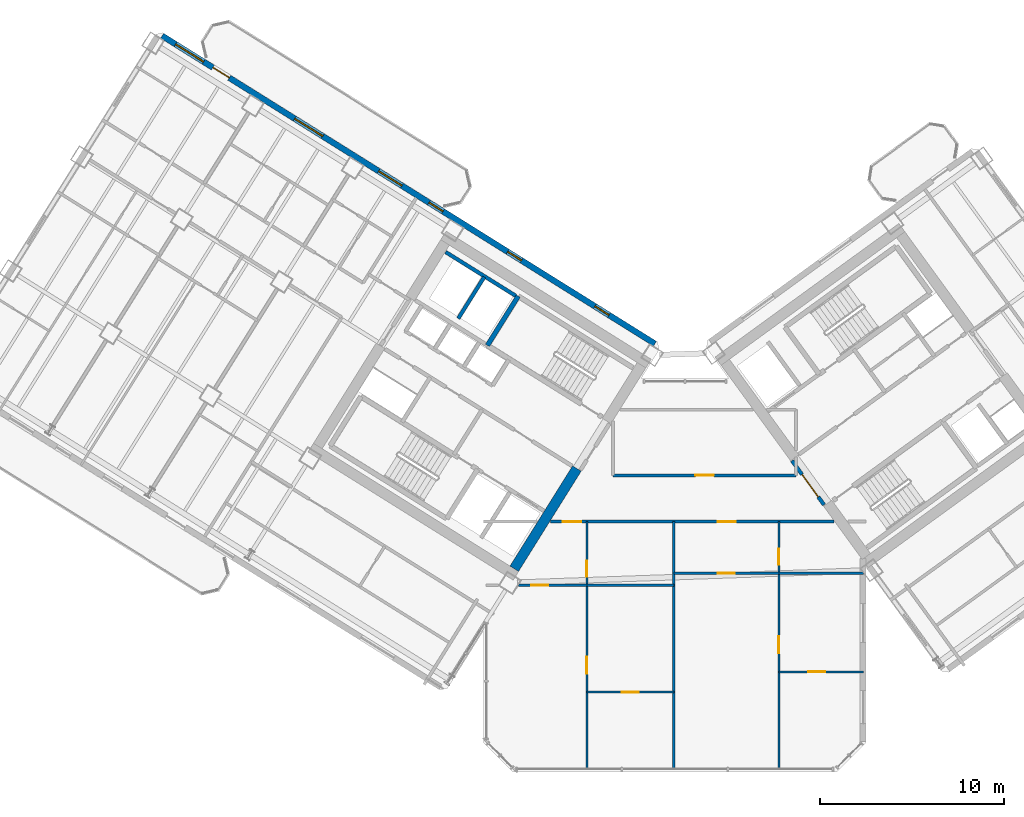
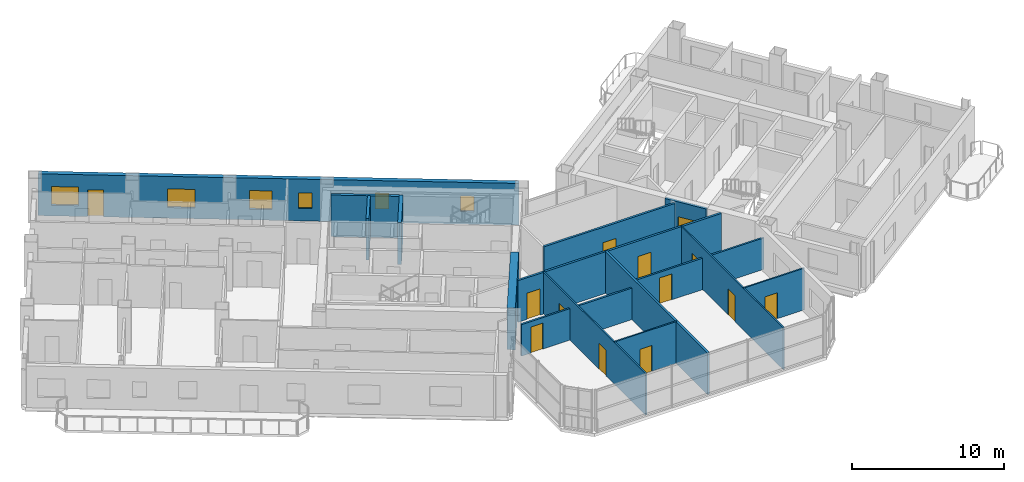
# One storey, part 18 of 25: 17 walls, 13 doors, 6 windows, 19 openings.
"""IFC4 building model written with IfcOpenShell, lengths in metres."""

from ifc_helpers import new_model, si_unit, direction, frame, frame_2d, origin, place, context, subcontext, project, spatial, rectangle, extrude, source, transform, mapped, material, layer, layer_set, type_object, element, fill, save


model = new_model("IFC4")

# Units and contexts
model_context = context("Model", 3, precision=1e-05, world=origin(), true_north=direction((0.0, 1.0)))
body_context = subcontext(model_context, "Body", "Model", "MODEL_VIEW")
ifc_project = project(units=[si_unit("LENGTHUNIT", "METRE"), si_unit("AREAUNIT", "SQUARE_METRE"), si_unit("VOLUMEUNIT", "CUBIC_METRE"), si_unit("PLANEANGLEUNIT", "RADIAN"), si_unit("MASSUNIT", "GRAM", prefix="KILO")], contexts=[model_context])

# Site, building, storey
site_placement = place(None, origin())
site = spatial("IfcSite", under=ifc_project, at=site_placement, CompositionType="ELEMENT")
building_placement = place(site_placement, origin())
building = spatial("IfcBuilding", under=site, at=building_placement, Name="Tlacorven Tower", CompositionType="ELEMENT")
storey_placement = place(building_placement, frame((0.0, 0.0, 162.300048828125)))
storey = spatial("IfcBuildingStorey", under=building, at=storey_placement, Name="L41", CompositionType="ELEMENT", Elevation=162.300048828125)

# Wall
ifc_material_1 = material(Name="Concrete C60/75", Category="concrete")
ifc_layer_1 = layer(ifc_material_1, 0.550048828125)
ifc_layer_set_1 = layer_set([ifc_layer_1], Name="Concrete C60/75")
wall_type_1 = type_object("IfcWallType", Name="WL-COR-550", PredefinedType="SHEAR", material=ifc_layer_set_1)
wall_1_placement = place(storey_placement, frame((36.683349609375, 18.30419921875, 0.0), z_axis=(0.0, 0.0, 1.0), x_axis=(-0.529896466841, -0.848062341122, 0.0)))
element("IfcWall", 1, at=wall_1_placement, inside=storey, type_object=wall_type_1, Name="L41 W core end wall E1.2", PredefinedType="SHEAR", context=body_context, shape_type="SweptSolid", body=[
    extrude(rectangle(XDim=6.4248046875, YDim=0.550048828125, at=frame_2d((3.21240234375, 0.0))), origin(), (0.0, 0.0, 1.0), 3.349853515625),
])

# Wall, openings, doors
ifc_material_2 = material(Name="Gypsum plasterboard acoustic partition", Category="gypsum")
ifc_layer_2 = layer(ifc_material_2, 0.159912109375)
ifc_layer_set_2 = layer_set([ifc_layer_2], Name="Gypsum plasterboard acoustic partition")
wall_type_2 = type_object("IfcWallType", Name="WL-DEM-160", PredefinedType="PARTITIONING", material=ifc_layer_set_2)
wall_2_placement = place(storey_placement, frame((35.2373046875, 15.419921875, 0.0), z_axis=(0.0, 0.0, 1.0), x_axis=(1.0, 0.0, 0.0)))
wall_2 = element("IfcWall", 2, at=wall_2_placement, inside=storey, type_object=wall_type_2, Name="L41 Knuckle Corridor South Wall", PredefinedType="PARTITIONING", context=body_context, shape_type="SweptSolid", body=[
    extrude(rectangle(XDim=15.431640625, YDim=0.159912109375, at=frame_2d((7.7158203125, 0.0))), origin(), (0.0, 0.0, 1.0), 3.33984375),
])
opening_1_placement = place(wall_2_placement, frame((0.673583984375, 0.0, 0.0)))
opening_1 = element("IfcOpeningElement", 3, at=opening_1_placement, cuts=wall_2, Name="Opening D11", PredefinedType="OPENING", context=body_context, shape_type="SweptSolid", body=[
    extrude(rectangle(XDim=1.0, YDim=2.10009765625, at=frame_2d((0.5, 1.050048828125))), frame((0.0, 0.08984375, 0.0), z_axis=(0.0, -1.0, 0.0), x_axis=(1.0, 0.0, 0.0)), (0.0, 0.0, 1.0), 0.179931640625),
])
opening_2_placement = place(wall_2_placement, frame((9.093994140625, 0.0, 0.0)))
opening_2 = element("IfcOpeningElement", 4, at=opening_2_placement, cuts=wall_2, Name="Opening D11", PredefinedType="OPENING", context=body_context, shape_type="SweptSolid", body=[
    extrude(rectangle(XDim=1.0, YDim=2.10009765625, at=frame_2d((0.5, 1.050048828125))), frame((0.0, 0.08984375, 0.0), z_axis=(0.0, -1.0, 0.0), x_axis=(1.0, 0.0, 0.0)), (0.0, 0.0, 1.0), 0.179931640625),
])
ifc_material_3 = material(Name="Fire-rated steel door assembly", Category="steel")
door_type_1 = type_object("IfcDoorType", Name="DR-FLT-FD60-1000", OperationType="NOTDEFINED", PredefinedType="DOOR", material=ifc_material_3)
shared_shape_1 = source(origin(), body_context, "Body", "SweptSolid", [
    extrude(rectangle(XDim=1.0, YDim=2.10009765625, at=frame_2d((0.5, 1.050048828125))), frame((0.0, 0.02490234375, 0.0), z_axis=(0.0, -1.0, 0.0), x_axis=(1.0, 0.0, 0.0)), (0.0, 0.0, 1.0), 0.050048828125),
])
door_1_placement = place(opening_1_placement, frame((1.0, 0.0, 0.0), z_axis=(0.0, 0.0, 1.0), x_axis=(-1.0, 0.0, 0.0)))
door_1 = element("IfcDoor", 5, at=door_1_placement, inside=storey, type_object=door_type_1, Name="L41 door 050", OperationType="SINGLE_SWING_RIGHT", OverallHeight=2.10009765625, OverallWidth=1.0, PredefinedType="DOOR", context=body_context, shape_type="MappedRepresentation", body=[
    mapped(shared_shape_1, transform((0.0, 0.0, 0.0), scale=1.0)),
])
fill(opening_1, door_1)
door_2_placement = place(opening_2_placement, frame((1.0, 0.0, 0.0), z_axis=(0.0, 0.0, 1.0), x_axis=(-1.0, 0.0, 0.0)))
door_2 = element("IfcDoor", 6, at=door_2_placement, inside=storey, type_object=door_type_1, Name="L41 door 055", OperationType="SINGLE_SWING_LEFT", OverallHeight=2.10009765625, OverallWidth=1.0, PredefinedType="DOOR", context=body_context, shape_type="MappedRepresentation", body=[
    mapped(shared_shape_1, transform((0.0, 0.0, 0.0), scale=1.0)),
])
fill(opening_2, door_2)

# Wall, opening, door
wall_3_placement = place(storey_placement, frame((38.64990234375, 17.929931640625, 0.0), z_axis=(0.0, 0.0, 1.0), x_axis=(1.0, 0.0, 0.0)))
wall_3 = element("IfcWall", 7, at=wall_3_placement, inside=storey, type_object=wall_type_2, Name="L41 partition 74", PredefinedType="PARTITIONING", context=body_context, shape_type="SweptSolid", body=[
    extrude(rectangle(XDim=9.9501953125, YDim=0.159912109375, at=frame_2d((4.97509765625, 0.0))), origin(), (0.0, 0.0, 1.0), 3.33984375),
])
opening_3_placement = place(wall_3_placement, frame((4.47509765625, 0.0, 0.0)))
opening_3 = element("IfcOpeningElement", 8, at=opening_3_placement, cuts=wall_3, Name="Opening D11", PredefinedType="OPENING", context=body_context, shape_type="SweptSolid", body=[
    extrude(rectangle(XDim=1.0, YDim=2.10009765625, at=frame_2d((0.5, 1.050048828125))), frame((0.0, 0.08984375, 0.0), z_axis=(0.0, -1.0, 0.0), x_axis=(1.0, 0.0, 0.0)), (0.0, 0.0, 1.0), 0.179931640625),
])
door_3_placement = place(opening_3_placement, origin())
door_3 = element("IfcDoor", 9, at=door_3_placement, inside=storey, type_object=door_type_1, Name="L41 door 045", OperationType="SINGLE_SWING_LEFT", OverallHeight=2.10009765625, OverallWidth=1.0, PredefinedType="DOOR", context=body_context, shape_type="MappedRepresentation", body=[
    mapped(shared_shape_1, transform((0.0, 0.0, 0.0), scale=1.0)),
])
fill(opening_3, door_3)

# Wall
wall_4_placement = place(storey_placement, frame((41.949951171875, 1.9599609375, 0.0), z_axis=(0.0, 0.0, 1.0), x_axis=(0.0, 1.0, 0.0)))
element("IfcWall", 10, at=wall_4_placement, inside=storey, type_object=wall_type_2, Name="L41 Knuckle Demising Wall 1", PredefinedType="PARTITIONING", context=body_context, shape_type="SweptSolid", body=[
    extrude(rectangle(XDim=13.4599609375, YDim=0.159912109375, at=frame_2d((6.72998046875, 0.0))), origin(), (0.0, 0.0, 1.0), 3.33984375),
])

# Wall, openings, door, windows
ifc_material_4 = material(Name="Precast concrete C45/55", Category="concrete")
ifc_layer_3 = layer(ifc_material_4, 0.320068359375)
ifc_layer_set_3 = layer_set([ifc_layer_3], Name="Precast concrete C45/55")
wall_type_3 = type_object("IfcWallType", Name="WL-EXT-320", PredefinedType="STANDARD", material=ifc_layer_set_3)
wall_5_placement = place(storey_placement, frame((14.13818359375, 41.825439453125, 0.0), z_axis=(0.0, 0.0, 1.0), x_axis=(0.848046498049, -0.529921821731, 0.0)))
wall_5 = element("IfcWall", 11, at=wall_5_placement, inside=storey, type_object=wall_type_3, Name="L41 Masonry-Frame Recessed Facade Wall 3", PredefinedType="STANDARD", context=body_context, shape_type="SweptSolid", body=[
    extrude(rectangle(XDim=31.587646484375, YDim=0.320068359375, at=frame_2d((15.7939453125, 0.0))), origin(), (0.0, 0.0, 1.0), 3.349853515625),
])
opening_4_placement = place(wall_5_placement, frame((3.2529296875, 0.0, 0.0)))
opening_4 = element("IfcOpeningElement", 12, at=opening_4_placement, cuts=wall_5, Name="Opening D06", PredefinedType="OPENING", context=body_context, shape_type="SweptSolid", body=[
    extrude(rectangle(XDim=1.050048828125, YDim=2.14990234375, at=frame_2d((0.52490234375, 1.074951171875))), frame((0.0, 0.169921875, 0.0), z_axis=(0.0, -1.0, 0.0), x_axis=(1.0, 0.0, 0.0)), (0.0, 0.0, 1.0), 0.340087890625),
])
opening_5_placement = place(wall_5_placement, frame((0.86328125, 0.0, 0.85009765625)))
opening_5 = element("IfcOpeningElement", 13, at=opening_5_placement, cuts=wall_5, Name="Opening WN01", PredefinedType="OPENING", context=body_context, shape_type="SweptSolid", body=[
    extrude(rectangle(XDim=1.800048828125, YDim=1.5, at=frame_2d((0.89990234375, 0.75))), frame((0.0, 0.169921875, 0.0), z_axis=(0.0, -1.0, 0.0), x_axis=(1.0, 0.0, 0.0)), (0.0, 0.0, 1.0), 0.340087890625),
])
opening_6_placement = place(wall_5_placement, frame((8.49365234375, 0.0, 0.85009765625)))
opening_6 = element("IfcOpeningElement", 14, at=opening_6_placement, cuts=wall_5, Name="Opening WN01", PredefinedType="OPENING", context=body_context, shape_type="SweptSolid", body=[
    extrude(rectangle(XDim=1.800048828125, YDim=1.5, at=frame_2d((0.89990234375, 0.75))), frame((0.0, 0.169921875, 0.0), z_axis=(0.0, -1.0, 0.0), x_axis=(1.0, 0.0, 0.0)), (0.0, 0.0, 1.0), 0.340087890625),
])
opening_7_placement = place(wall_5_placement, frame((13.873779296875, 0.0, 0.85009765625)))
opening_7 = element("IfcOpeningElement", 15, at=opening_7_placement, cuts=wall_5, Name="Opening WN02", PredefinedType="OPENING", context=body_context, shape_type="SweptSolid", body=[
    extrude(rectangle(XDim=1.5, YDim=1.5, at=frame_2d((0.75, 0.75))), frame((0.0, 0.169921875, 0.0), z_axis=(0.0, -1.0, 0.0), x_axis=(1.0, 0.0, 0.0)), (0.0, 0.0, 1.0), 0.340087890625),
])
opening_8_placement = place(wall_5_placement, frame((17.103759765625, 0.0, 1.0)))
opening_8 = element("IfcOpeningElement", 16, at=opening_8_placement, cuts=wall_5, Name="Opening WN05", PredefinedType="OPENING", context=body_context, shape_type="SweptSolid", body=[
    extrude(rectangle(XDim=0.89990234375, YDim=1.25, at=frame_2d((0.449951171875, 0.625))), frame((0.0, 0.169921875, 0.0), z_axis=(0.0, -1.0, 0.0), x_axis=(1.0, 0.0, 0.0)), (0.0, 0.0, 1.0), 0.340087890625),
])
opening_9_placement = place(wall_5_placement, frame((22.143798828125, 0.0, 1.0)))
opening_9 = element("IfcOpeningElement", 17, at=opening_9_placement, cuts=wall_5, Name="Opening WN05", PredefinedType="OPENING", context=body_context, shape_type="SweptSolid", body=[
    extrude(rectangle(XDim=0.89990234375, YDim=1.25, at=frame_2d((0.449951171875, 0.625))), frame((0.0, 0.169921875, 0.0), z_axis=(0.0, -1.0, 0.0), x_axis=(1.0, 0.0, 0.0)), (0.0, 0.0, 1.0), 0.340087890625),
])
opening_10_placement = place(wall_5_placement, frame((27.74365234375, 0.0, 1.0)))
opening_10 = element("IfcOpeningElement", 18, at=opening_10_placement, cuts=wall_5, Name="Opening WN05", PredefinedType="OPENING", context=body_context, shape_type="SweptSolid", body=[
    extrude(rectangle(XDim=0.89990234375, YDim=1.25, at=frame_2d((0.449951171875, 0.625))), frame((0.0, 0.169921875, 0.0), z_axis=(0.0, -1.0, 0.0), x_axis=(1.0, 0.0, 0.0)), (0.0, 0.0, 1.0), 0.340087890625),
])
ifc_material_5 = material(Name="Powder-coated aluminium and timber door", Category="wood")
door_type_2 = type_object("IfcDoorType", Name="DR-EXT-BALC-1050", OperationType="NOTDEFINED", PredefinedType="DOOR", material=ifc_material_5)
shared_shape_2 = source(origin(), body_context, "Body", "SweptSolid", [
    extrude(rectangle(XDim=1.050048828125, YDim=2.14990234375, at=frame_2d((0.52490234375, 1.074951171875))), frame((0.0, 0.02490234375, 0.0), z_axis=(0.0, -1.0, 0.0), x_axis=(1.0, 0.0, 0.0)), (0.0, 0.0, 1.0), 0.050048828125),
])
door_4_placement = place(opening_4_placement, origin())
door_4 = element("IfcDoor", 19, at=door_4_placement, inside=storey, type_object=door_type_2, Name="L41 Outdoor Access Door BAL-L41-W-IN", OperationType="SINGLE_SWING_RIGHT", OverallHeight=2.14990234375, OverallWidth=1.050048828125, PredefinedType="DOOR", context=body_context, shape_type="MappedRepresentation", body=[
    mapped(shared_shape_2, transform((0.0, 0.0, 0.0), scale=1.0)),
])
fill(opening_4, door_4)
ifc_material_6 = material(Name="Dark solar low-E double glazing in anodised aluminium frame", Category="aluminium")
window_type_1 = type_object("IfcWindowType", Name="WN-APT-1800X1650", PartitioningType="SINGLE_PANEL", PredefinedType="WINDOW", material=ifc_material_6)
shared_shape_3 = source(origin(), body_context, "Body", "SweptSolid", [
    extrude(rectangle(XDim=1.800048828125, YDim=1.5, at=frame_2d((0.89990234375, 0.75))), frame((0.0, 0.030029296875, 0.0), z_axis=(0.0, -1.0, 0.0), x_axis=(1.0, 0.0, 0.0)), (0.0, 0.0, 1.0), 0.06005859375),
])
window_1_placement = place(opening_5_placement, origin())
window_1 = element("IfcWindow", 20, at=window_1_placement, inside=storey, type_object=window_type_1, Name="L41 Recessed Masonry-Frame Window L41-03.1", OverallHeight=1.5, OverallWidth=1.800048828125, PartitioningType="SINGLE_PANEL", PredefinedType="WINDOW", context=body_context, shape_type="MappedRepresentation", body=[
    mapped(shared_shape_3, transform((0.0, 0.0, 0.0), scale=1.0)),
])
fill(opening_5, window_1)
window_2_placement = place(opening_6_placement, origin())
window_2 = element("IfcWindow", 21, at=window_2_placement, inside=storey, type_object=window_type_1, Name="L41 Recessed Masonry-Frame Window L41-03.2", OverallHeight=1.5, OverallWidth=1.800048828125, PartitioningType="SINGLE_PANEL", PredefinedType="WINDOW", context=body_context, shape_type="MappedRepresentation", body=[
    mapped(shared_shape_3, transform((0.0, 0.0, 0.0), scale=1.0)),
])
fill(opening_6, window_2)
window_type_2 = type_object("IfcWindowType", Name="WN-APT-1500X1650", PartitioningType="SINGLE_PANEL", PredefinedType="WINDOW", material=ifc_material_6)
shared_shape_4 = source(origin(), body_context, "Body", "SweptSolid", [
    extrude(rectangle(XDim=1.5, YDim=1.5, at=frame_2d((0.75, 0.75))), frame((0.0, 0.030029296875, 0.0), z_axis=(0.0, -1.0, 0.0), x_axis=(1.0, 0.0, 0.0)), (0.0, 0.0, 1.0), 0.06005859375),
])
window_3_placement = place(opening_7_placement, origin())
window_3 = element("IfcWindow", 22, at=window_3_placement, inside=storey, type_object=window_type_2, Name="L41 Recessed Masonry-Frame Window L41-03.3", OverallHeight=1.5, OverallWidth=1.5, PartitioningType="SINGLE_PANEL", PredefinedType="WINDOW", context=body_context, shape_type="MappedRepresentation", body=[
    mapped(shared_shape_4, transform((0.0, 0.0, 0.0), scale=1.0)),
])
fill(opening_7, window_3)
window_type_3 = type_object("IfcWindowType", Name="WN-APT-0900X1350", PartitioningType="SINGLE_PANEL", PredefinedType="WINDOW", material=ifc_material_6)
shared_shape_5 = source(origin(), body_context, "Body", "SweptSolid", [
    extrude(rectangle(XDim=0.89990234375, YDim=1.25, at=frame_2d((0.449951171875, 0.625))), frame((0.0, 0.030029296875, 0.0), z_axis=(0.0, -1.0, 0.0), x_axis=(1.0, 0.0, 0.0)), (0.0, 0.0, 1.0), 0.06005859375),
])
window_4_placement = place(opening_8_placement, origin())
window_4 = element("IfcWindow", 23, at=window_4_placement, inside=storey, type_object=window_type_3, Name="L41 Recessed Masonry-Frame Window L41-03.4", OverallHeight=1.25, OverallWidth=0.89990234375, PartitioningType="SINGLE_PANEL", PredefinedType="WINDOW", context=body_context, shape_type="MappedRepresentation", body=[
    mapped(shared_shape_5, transform((0.0, 0.0, 0.0), scale=1.0)),
])
fill(opening_8, window_4)
window_5_placement = place(opening_9_placement, origin())
window_5 = element("IfcWindow", 24, at=window_5_placement, inside=storey, type_object=window_type_3, Name="L41 Recessed Masonry-Frame Window L41-03.5", OverallHeight=1.25, OverallWidth=0.89990234375, PartitioningType="SINGLE_PANEL", PredefinedType="WINDOW", context=body_context, shape_type="MappedRepresentation", body=[
    mapped(shared_shape_5, transform((0.0, 0.0, 0.0), scale=1.0)),
])
fill(opening_9, window_5)
window_6_placement = place(opening_10_placement, origin())
window_6 = element("IfcWindow", 25, at=window_6_placement, inside=storey, type_object=window_type_3, Name="L41 Recessed Masonry-Frame Window L41-03.6", OverallHeight=1.25, OverallWidth=0.89990234375, PartitioningType="SINGLE_PANEL", PredefinedType="WINDOW", context=body_context, shape_type="MappedRepresentation", body=[
    mapped(shared_shape_5, transform((0.0, 0.0, 0.0), scale=1.0)),
])
fill(opening_10, window_6)

# Wall, openings, doors
ifc_material_7 = material(Name="Gypsum plasterboard partition", Category="gypsum")
ifc_layer_4 = layer(ifc_material_7, 0.110107421875)
ifc_layer_set_4 = layer_set([ifc_layer_4], Name="Gypsum plasterboard partition")
wall_type_4 = type_object("IfcWallType", Name="WL-INT-110", PredefinedType="PARTITIONING", material=ifc_layer_set_4)
wall_6_placement = place(storey_placement, frame((37.221923828125, 1.9599609375, 0.0), z_axis=(0.0, 0.0, 1.0), x_axis=(0.0, 1.0, 0.0)))
wall_6 = element("IfcWall", 26, at=wall_6_placement, inside=storey, type_object=wall_type_4, Name="L41 partition 80", PredefinedType="PARTITIONING", context=body_context, shape_type="SweptSolid", body=[
    extrude(rectangle(XDim=13.4599609375, YDim=0.110107421875, at=frame_2d((6.72998046875, 0.0))), origin(), (0.0, 0.0, 1.0), 3.33984375),
])
opening_11_placement = place(wall_6_placement, frame((5.199951171875, 0.0, 0.0)))
opening_11 = element("IfcOpeningElement", 27, at=opening_11_placement, cuts=wall_6, Name="Opening D12", PredefinedType="OPENING", context=body_context, shape_type="SweptSolid", body=[
    extrude(rectangle(XDim=0.919921875, YDim=2.080078125, at=frame_2d((0.4599609375, 1.0400390625))), frame((0.0, 0.06494140625, 0.0), z_axis=(0.0, -1.0, 0.0), x_axis=(1.0, 0.0, 0.0)), (0.0, 0.0, 1.0), 0.130126953125),
])
opening_12_placement = place(wall_6_placement, frame((10.449951171875, 0.0, 0.0)))
opening_12 = element("IfcOpeningElement", 28, at=opening_12_placement, cuts=wall_6, Name="Opening D13", PredefinedType="OPENING", context=body_context, shape_type="SweptSolid", body=[
    extrude(rectangle(XDim=0.8798828125, YDim=2.080078125, at=frame_2d((0.43994140625, 1.0400390625))), frame((0.0, 0.06494140625, 0.0), z_axis=(0.0, -1.0, 0.0), x_axis=(1.0, 0.0, 0.0)), (0.0, 0.0, 1.0), 0.130126953125),
])
door_type_3 = type_object("IfcDoorType", Name="DR-INT-WET-0880", OperationType="NOTDEFINED", PredefinedType="DOOR", material=ifc_material_5)
shared_shape_6 = source(origin(), body_context, "Body", "SweptSolid", [
    extrude(rectangle(XDim=0.8798828125, YDim=2.080078125, at=frame_2d((0.43994140625, 1.0400390625))), frame((0.0, 0.02490234375, 0.0), z_axis=(0.0, -1.0, 0.0), x_axis=(1.0, 0.0, 0.0)), (0.0, 0.0, 1.0), 0.050048828125),
])
door_5_placement = place(opening_12_placement, origin())
door_5 = element("IfcDoor", 29, at=door_5_placement, inside=storey, type_object=door_type_3, Name="L41 door 052", OperationType="SINGLE_SWING_RIGHT", OverallHeight=2.080078125, OverallWidth=0.8798828125, PredefinedType="DOOR", context=body_context, shape_type="MappedRepresentation", body=[
    mapped(shared_shape_6, transform((0.0, 0.0, 0.0), scale=1.0)),
])
fill(opening_12, door_5)
door_type_4 = type_object("IfcDoorType", Name="DR-INT-ROOM-0920", OperationType="NOTDEFINED", PredefinedType="DOOR", material=ifc_material_5)
shared_shape_7 = source(origin(), body_context, "Body", "SweptSolid", [
    extrude(rectangle(XDim=0.919921875, YDim=2.080078125, at=frame_2d((0.4599609375, 1.0400390625))), frame((0.0, 0.02490234375, 0.0), z_axis=(0.0, -1.0, 0.0), x_axis=(1.0, 0.0, 0.0)), (0.0, 0.0, 1.0), 0.050048828125),
])
door_6_placement = place(opening_11_placement, origin())
door_6 = element("IfcDoor", 30, at=door_6_placement, inside=storey, type_object=door_type_4, Name="L41 door 048", OperationType="SINGLE_SWING_RIGHT", OverallHeight=2.080078125, OverallWidth=0.919921875, PredefinedType="DOOR", context=body_context, shape_type="MappedRepresentation", body=[
    mapped(shared_shape_7, transform((0.0, 0.0, 0.0), scale=1.0)),
])
fill(opening_11, door_6)

# Wall, opening, door
wall_7_placement = place(storey_placement, frame((37.221923828125, 6.14990234375, 0.0), z_axis=(0.0, 0.0, 1.0), x_axis=(1.0, 0.0, 0.0)))
wall_7 = element("IfcWall", 31, at=wall_7_placement, inside=storey, type_object=wall_type_4, Name="L41 partition 83", PredefinedType="PARTITIONING", context=body_context, shape_type="SweptSolid", body=[
    extrude(rectangle(XDim=4.72802734375, YDim=0.110107421875, at=frame_2d((2.364013671875, 0.0))), origin(), (0.0, 0.0, 1.0), 3.33984375),
])
opening_13_placement = place(wall_7_placement, frame((1.904052734375, 0.0, 0.0)))
opening_13 = element("IfcOpeningElement", 32, at=opening_13_placement, cuts=wall_7, Name="Opening D12", PredefinedType="OPENING", context=body_context, shape_type="SweptSolid", body=[
    extrude(rectangle(XDim=0.919921875, YDim=2.080078125, at=frame_2d((0.4599609375, 1.0400390625))), frame((0.0, 0.06494140625, 0.0), z_axis=(0.0, -1.0, 0.0), x_axis=(1.0, 0.0, 0.0)), (0.0, 0.0, 1.0), 0.130126953125),
])
door_7_placement = place(opening_13_placement, origin())
door_7 = element("IfcDoor", 33, at=door_7_placement, inside=storey, type_object=door_type_4, Name="L41 door 049", OperationType="SINGLE_SWING_LEFT", OverallHeight=2.080078125, OverallWidth=0.919921875, PredefinedType="DOOR", context=body_context, shape_type="MappedRepresentation", body=[
    mapped(shared_shape_7, transform((0.0, 0.0, 0.0), scale=1.0)),
])
fill(opening_13, door_7)

# Wall, openings, doors
wall_8_placement = place(storey_placement, frame((47.6630859375, 1.9599609375, 0.0), z_axis=(0.0, 0.0, 1.0), x_axis=(0.0, 1.0, 0.0)))
wall_8 = element("IfcWall", 34, at=wall_8_placement, inside=storey, type_object=wall_type_4, Name="L41 partition 84", PredefinedType="PARTITIONING", context=body_context, shape_type="SweptSolid", body=[
    extrude(rectangle(XDim=13.4599609375, YDim=0.110107421875, at=frame_2d((6.72998046875, 0.0))), origin(), (0.0, 0.0, 1.0), 3.33984375),
])
opening_14_placement = place(wall_8_placement, frame((6.300048828125, 0.0, 0.0)))
opening_14 = element("IfcOpeningElement", 35, at=opening_14_placement, cuts=wall_8, Name="Opening D12", PredefinedType="OPENING", context=body_context, shape_type="SweptSolid", body=[
    extrude(rectangle(XDim=0.919921875, YDim=2.080078125, at=frame_2d((0.4599609375, 1.0400390625))), frame((0.0, 0.06494140625, 0.0), z_axis=(0.0, -1.0, 0.0), x_axis=(1.0, 0.0, 0.0)), (0.0, 0.0, 1.0), 0.130126953125),
])
opening_15_placement = place(wall_8_placement, frame((11.10009765625, 0.0, 0.0)))
opening_15 = element("IfcOpeningElement", 36, at=opening_15_placement, cuts=wall_8, Name="Opening D13", PredefinedType="OPENING", context=body_context, shape_type="SweptSolid", body=[
    extrude(rectangle(XDim=0.8798828125, YDim=2.080078125, at=frame_2d((0.43994140625, 1.0400390625))), frame((0.0, 0.06494140625, 0.0), z_axis=(0.0, -1.0, 0.0), x_axis=(1.0, 0.0, 0.0)), (0.0, 0.0, 1.0), 0.130126953125),
])
door_8_placement = place(opening_15_placement, origin())
door_8 = element("IfcDoor", 37, at=door_8_placement, inside=storey, type_object=door_type_3, Name="L41 door 057", OperationType="SINGLE_SWING_LEFT", OverallHeight=2.080078125, OverallWidth=0.8798828125, PredefinedType="DOOR", context=body_context, shape_type="MappedRepresentation", body=[
    mapped(shared_shape_6, transform((0.0, 0.0, 0.0), scale=1.0)),
])
fill(opening_15, door_8)
door_9_placement = place(opening_14_placement, origin())
door_9 = element("IfcDoor", 38, at=door_9_placement, inside=storey, type_object=door_type_4, Name="L41 door 053", OperationType="SINGLE_SWING_LEFT", OverallHeight=2.080078125, OverallWidth=0.919921875, PredefinedType="DOOR", context=body_context, shape_type="MappedRepresentation", body=[
    mapped(shared_shape_7, transform((0.0, 0.0, 0.0), scale=1.0)),
])
fill(opening_14, door_9)

# Wall, opening, door
wall_9_placement = place(storey_placement, frame((47.6630859375, 7.25, 0.0), z_axis=(0.0, 0.0, 1.0), x_axis=(1.0, 0.0, 0.0)))
wall_9 = element("IfcWall", 39, at=wall_9_placement, inside=storey, type_object=wall_type_4, Name="L41 partition 87", PredefinedType="PARTITIONING", context=body_context, shape_type="SweptSolid", body=[
    extrude(rectangle(XDim=4.596923828125, YDim=0.110107421875, at=frame_2d((2.29833984375, 0.0))), origin(), (0.0, 0.0, 1.0), 3.33984375),
])
opening_16_placement = place(wall_9_placement, frame((1.6083984375, 0.0, 0.0)))
opening_16 = element("IfcOpeningElement", 40, at=opening_16_placement, cuts=wall_9, Name="Opening D12", PredefinedType="OPENING", context=body_context, shape_type="SweptSolid", body=[
    extrude(rectangle(XDim=0.919921875, YDim=2.080078125, at=frame_2d((0.4599609375, 1.0400390625))), frame((0.0, 0.06494140625, 0.0), z_axis=(0.0, -1.0, 0.0), x_axis=(1.0, 0.0, 0.0)), (0.0, 0.0, 1.0), 0.130126953125),
])
door_10_placement = place(opening_16_placement, origin())
door_10 = element("IfcDoor", 41, at=door_10_placement, inside=storey, type_object=door_type_4, Name="L41 door 054", OperationType="SINGLE_SWING_RIGHT", OverallHeight=2.080078125, OverallWidth=0.919921875, PredefinedType="DOOR", context=body_context, shape_type="MappedRepresentation", body=[
    mapped(shared_shape_7, transform((0.0, 0.0, 0.0), scale=1.0)),
])
fill(opening_16, door_10)

ifc_material_8 = material(Name="Moisture-resistant gypsum plumbing wall", Category="gypsum")
ifc_layer_5 = layer(ifc_material_8, 0.139892578125)
ifc_layer_set_5 = layer_set([ifc_layer_5], Name="Moisture-resistant gypsum plumbing wall")
wall_type_5 = type_object("IfcWallType", Name="WL-PLM-140", PredefinedType="PLUMBINGWALL", material=ifc_layer_set_5)
wall_10_placement = place(storey_placement, frame((33.50537109375, 11.949951171875, 0.0), z_axis=(0.0, 0.0, 1.0), x_axis=(1.0, 0.0, 0.0)))
wall_10 = element("IfcWall", 42, at=wall_10_placement, inside=storey, type_object=wall_type_5, Name="L41 partition 81", PredefinedType="PLUMBINGWALL", context=body_context, shape_type="SweptSolid", body=[
    extrude(rectangle(XDim=3.716552734375, YDim=0.139892578125, at=frame_2d((1.8583984375, 0.0))), origin(), (0.0, 0.0, 1.0), 2.52490234375),
])
opening_17_placement = place(wall_10_placement, frame((0.695556640625, 0.0, 0.0)))
opening_17 = element("IfcOpeningElement", 43, at=opening_17_placement, cuts=wall_10, Name="Opening D12", PredefinedType="OPENING", context=body_context, shape_type="SweptSolid", body=[
    extrude(rectangle(XDim=0.919921875, YDim=2.080078125, at=frame_2d((0.4599609375, 1.0400390625))), frame((0.0, 0.080078125, 0.0), z_axis=(0.0, -1.0, 0.0), x_axis=(1.0, 0.0, 0.0)), (0.0, 0.0, 1.0), 0.159912109375),
])
door_11_placement = place(opening_17_placement, frame((0.919921875, 0.0, 0.0), z_axis=(0.0, 0.0, 1.0), x_axis=(-1.0, 0.0, 0.0)))
door_11 = element("IfcDoor", 44, at=door_11_placement, inside=storey, type_object=door_type_4, Name="L41 door 051", OperationType="SINGLE_SWING_RIGHT", OverallHeight=2.080078125, OverallWidth=0.919921875, PredefinedType="DOOR", context=body_context, shape_type="MappedRepresentation", body=[
    mapped(shared_shape_7, transform((0.0, 0.0, 0.0), scale=1.0)),
])
fill(opening_17, door_11)

# Wall
wall_11_placement = place(storey_placement, frame((37.221923828125, 11.949951171875, 0.0), z_axis=(0.0, 0.0, 1.0), x_axis=(1.0, 0.0, 0.0)))
element("IfcWall", 45, at=wall_11_placement, inside=storey, type_object=wall_type_5, Name="L41 partition 82", PredefinedType="PLUMBINGWALL", context=body_context, shape_type="SweptSolid", body=[
    extrude(rectangle(XDim=4.72802734375, YDim=0.139892578125, at=frame_2d((2.364013671875, 0.0))), origin(), (0.0, 0.0, 1.0), 2.52490234375),
])

# Wall, opening, door
wall_12_placement = place(storey_placement, frame((41.949951171875, 12.60009765625, 0.0), z_axis=(0.0, 0.0, 1.0), x_axis=(1.0, 0.0, 0.0)))
wall_12 = element("IfcWall", 46, at=wall_12_placement, inside=storey, type_object=wall_type_5, Name="L41 partition 85", PredefinedType="PLUMBINGWALL", context=body_context, shape_type="SweptSolid", body=[
    extrude(rectangle(XDim=5.713134765625, YDim=0.139892578125, at=frame_2d((2.8564453125, 0.0))), origin(), (0.0, 0.0, 1.0), 2.52490234375),
])
opening_18_placement = place(wall_12_placement, frame((2.396484375, 0.0, 0.0)))
opening_18 = element("IfcOpeningElement", 47, at=opening_18_placement, cuts=wall_12, Name="Opening D12", PredefinedType="OPENING", context=body_context, shape_type="SweptSolid", body=[
    extrude(rectangle(XDim=0.919921875, YDim=2.080078125, at=frame_2d((0.4599609375, 1.0400390625))), frame((0.0, 0.080078125, 0.0), z_axis=(0.0, -1.0, 0.0), x_axis=(1.0, 0.0, 0.0)), (0.0, 0.0, 1.0), 0.159912109375),
])
door_12_placement = place(opening_18_placement, frame((0.919921875, 0.0, 0.0), z_axis=(0.0, 0.0, 1.0), x_axis=(-1.0, 0.0, 0.0)))
door_12 = element("IfcDoor", 48, at=door_12_placement, inside=storey, type_object=door_type_4, Name="L41 door 056", OperationType="SINGLE_SWING_RIGHT", OverallHeight=2.080078125, OverallWidth=0.919921875, PredefinedType="DOOR", context=body_context, shape_type="MappedRepresentation", body=[
    mapped(shared_shape_7, transform((0.0, 0.0, 0.0), scale=1.0)),
])
fill(opening_18, door_12)

# Walls
wall_13_placement = place(storey_placement, frame((47.6630859375, 12.60009765625, 0.0), z_axis=(0.0, 0.0, 1.0), x_axis=(1.0, 0.0, 0.0)))
element("IfcWall", 49, at=wall_13_placement, inside=storey, type_object=wall_type_5, Name="L41 partition 86", PredefinedType="PLUMBINGWALL", context=body_context, shape_type="SweptSolid", body=[
    extrude(rectangle(XDim=4.596923828125, YDim=0.139892578125, at=frame_2d((2.29833984375, 0.0))), origin(), (0.0, 0.0, 1.0), 2.52490234375),
])
ifc_material_9 = material(Name="Concrete C40/50", Category="concrete")
ifc_layer_6 = layer(ifc_material_9, 0.199951171875)
ifc_layer_set_6 = layer_set([ifc_layer_6], Name="Concrete C40/50")
wall_type_6 = type_object("IfcWallType", Name="WL-SHF-200", PredefinedType="STANDARD", material=ifc_layer_set_6)
wall_14_placement = place(storey_placement, frame((31.645263671875, 28.716064453125, 0.0), z_axis=(0.0, 0.0, 1.0), x_axis=(-0.52986693015, -0.848080795876, 0.0)))
element("IfcWall", 50, at=wall_14_placement, inside=storey, type_object=wall_type_6, Name="L41 partition 15", PredefinedType="STANDARD", context=body_context, shape_type="SweptSolid", body=[
    extrude(rectangle(XDim=2.659912109375, YDim=0.199951171875, at=frame_2d((1.330078125, 0.0))), origin(), (0.0, 0.0, 1.0), 3.33984375),
])
wall_15_placement = place(storey_placement, frame((33.362548828125, 27.690185546875, 0.0), z_axis=(0.0, 0.0, 1.0), x_axis=(-0.848047090064, 0.529920874315, 0.0)))
element("IfcWall", 51, at=wall_15_placement, inside=storey, type_object=wall_type_6, Name="L41 partition 17", PredefinedType="STANDARD", context=body_context, shape_type="SweptSolid", body=[
    extrude(rectangle(XDim=4.498046875, YDim=0.199951171875, at=frame_2d((2.2490234375, 0.0))), origin(), (0.0, 0.0, 1.0), 3.33984375),
])

# Wall, opening, door
wall_16_placement = place(storey_placement, frame((50.119140625, 16.3330078125, 0.0), z_axis=(0.0, 0.0, 1.0), x_axis=(-0.587749856981, 0.809042709391, 0.0)))
wall_16 = element("IfcWall", 52, at=wall_16_placement, inside=storey, type_object=wall_type_6, Name="L41 partition 78", PredefinedType="STANDARD", context=body_context, shape_type="SweptSolid", body=[
    extrude(rectangle(XDim=2.9599609375, YDim=0.199951171875, at=frame_2d((1.47998046875, 0.0))), origin(), (0.0, 0.0, 1.0), 3.33984375),
])
opening_19_placement = place(wall_16_placement, frame((0.530029296875, 0.0, 0.0)))
opening_19 = element("IfcOpeningElement", 53, at=opening_19_placement, cuts=wall_16, Name="Opening D10", PredefinedType="OPENING", context=body_context, shape_type="SweptSolid", body=[
    extrude(rectangle(XDim=1.5, YDim=2.14990234375, at=frame_2d((0.75, 1.074951171875))), frame((0.0, 0.10986328125, 0.0), z_axis=(0.0, -1.0, 0.0), x_axis=(1.0, 0.0, 0.0)), (0.0, 0.0, 1.0), 0.219970703125),
])
door_type_5 = type_object("IfcDoorType", Name="DR-LOB-FD60-1500", OperationType="DOUBLE_DOOR_SINGLE_SWING", PredefinedType="DOOR", material=ifc_material_3)
shared_shape_8 = source(origin(), body_context, "Body", "SweptSolid", [
    extrude(rectangle(XDim=1.5, YDim=2.14990234375, at=frame_2d((0.75, 1.074951171875))), frame((0.0, 0.02490234375, 0.0), z_axis=(0.0, -1.0, 0.0), x_axis=(1.0, 0.0, 0.0)), (0.0, 0.0, 1.0), 0.050048828125),
])
door_13_placement = place(opening_19_placement, frame((1.5, 0.0, 0.0), z_axis=(0.0, 0.0, 1.0), x_axis=(-1.0, 0.0, 0.0)))
door_13 = element("IfcDoor", 54, at=door_13_placement, inside=storey, type_object=door_type_5, Name="L41 door 047", OperationType="DOUBLE_DOOR_SINGLE_SWING", OverallHeight=2.14990234375, OverallWidth=1.5, PredefinedType="DOOR", context=body_context, shape_type="MappedRepresentation", body=[
    mapped(shared_shape_8, transform((0.0, 0.0, 0.0), scale=1.0)),
])
fill(opening_19, door_13)

# Wall
ifc_material_10 = material(Name="Concrete C50/60", Category="concrete")
ifc_layer_7 = layer(ifc_material_10, 0.260009765625)
ifc_layer_set_7 = layer_set([ifc_layer_7], Name="Concrete C50/60")
wall_type_7 = type_object("IfcWallType", Name="WL-STW-260", PredefinedType="SHEAR", material=ifc_layer_set_7)
wall_17_placement = place(storey_placement, frame((33.496337890625, 27.677490234375, 0.0), z_axis=(0.0, 0.0, 1.0), x_axis=(-0.529908658664, -0.84805472316, 0.0)))
element("IfcWall", 55, at=wall_17_placement, inside=storey, type_object=wall_type_7, Name="L41 Stair W2 East Shear Wall", PredefinedType="SHEAR", context=body_context, shape_type="SweptSolid", body=[
    extrude(rectangle(XDim=3.16015625, YDim=0.260009765625, at=frame_2d((1.580078125, 0.0))), origin(), (0.0, 0.0, 1.0), 3.349853515625),
])

save(model, "model.ifc")
